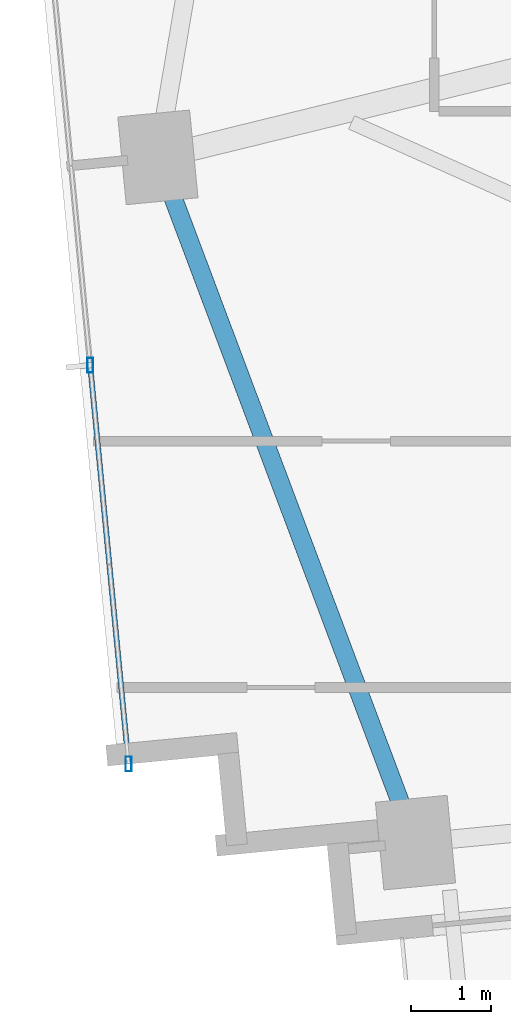
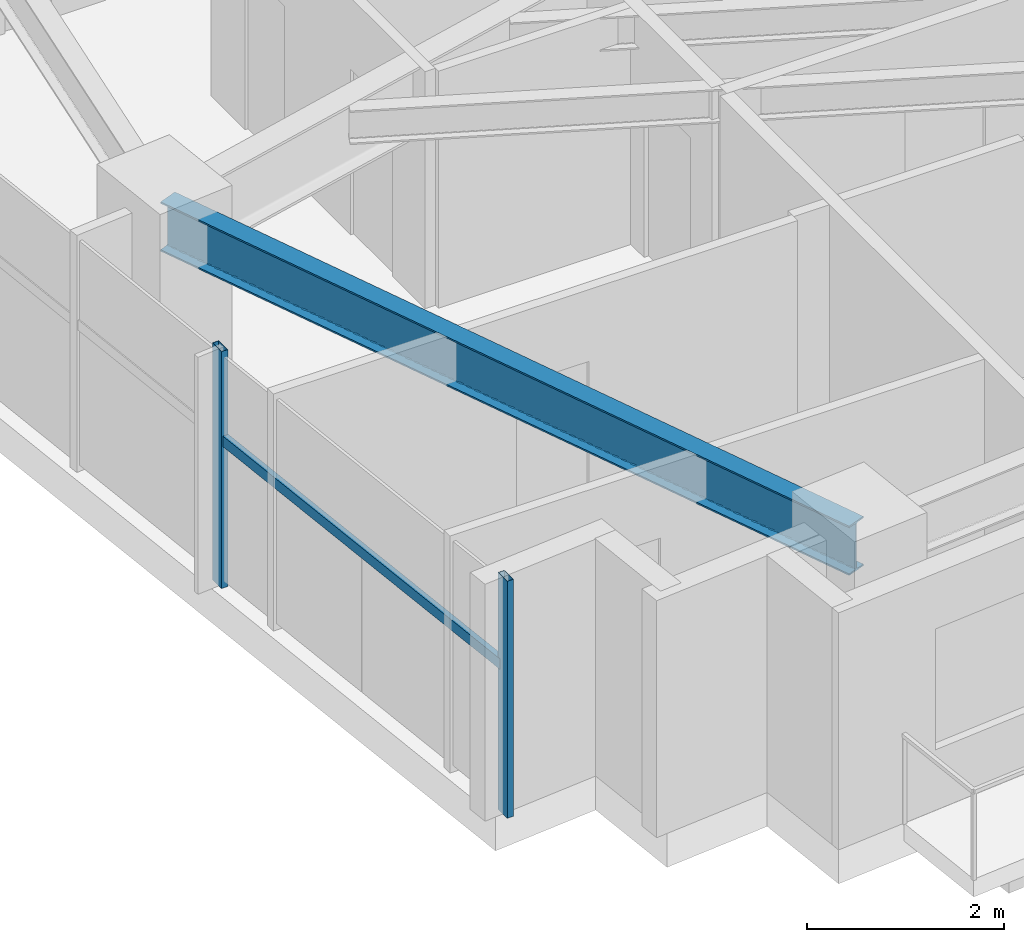
# One storey, part 2 of 25: 3 members, 1 beam, 1 element without a shape of its own.
"""IFC4 building model written with IfcOpenShell, lengths in metres."""

from ifc_helpers import new_model, si_unit, direction, frame, origin, origin_2d, place, context, subcontext, project, spatial, hollow_rectangle, i_section, extrude, source, transform, mapped, material, material_profile, profile_set, type_object, type_shapes, element, aggregate, save


model = new_model("IFC4")

# Units and contexts
model_context = context("Model", 3, precision=1e-05, world=origin(), true_north=direction((0.0, 1.0)))
body_context = subcontext(model_context, "Body", "Model", "MODEL_VIEW")
ifc_project = project(units=[si_unit("LENGTHUNIT", "METRE"), si_unit("AREAUNIT", "SQUARE_METRE"), si_unit("VOLUMEUNIT", "CUBIC_METRE"), si_unit("PLANEANGLEUNIT", "RADIAN"), si_unit("MASSUNIT", "GRAM", prefix="KILO")], contexts=[model_context])

# Site, building, storey
site_placement = place(None, origin())
site = spatial("IfcSite", under=ifc_project, at=site_placement, CompositionType="ELEMENT")
building_placement = place(site_placement, origin())
building = spatial("IfcBuilding", under=site, at=building_placement, Name="Astriad Promenade Condominiums", CompositionType="ELEMENT")
storey_placement = place(building_placement, frame((0.0, 0.0, 77.800048828125)))
storey = spatial("IfcBuildingStorey", under=building, at=storey_placement, Name="L21", CompositionType="ELEMENT", Elevation=77.800048828125)

# Beam
ifc_material_1 = material(Name="Steel ASTM A992 Grade 50", Category="steel")
ifc_material_profile_1 = material_profile(ifc_material_1, i_section(OverallWidth=0.22900390625, OverallDepth=0.612060546875, WebThickness=0.011962890625, FlangeThickness=0.01953125, FilletRadius=0.017822265625, at=origin_2d()), Name="W24X84")
ifc_profile_set_1 = profile_set([ifc_material_profile_1], Name="Steel ASTM A992 Grade 50")
beam_type = type_object("IfcBeamType", Name="STEEL SPANDREL BEAM W24X84", PredefinedType="SPANDREL", material=ifc_profile_set_1)
shared_shape_1 = source(origin(), body_context, "Body", "SweptSolid", [
    extrude(i_section(OverallWidth=0.22900390625, OverallDepth=0.612060546875, WebThickness=0.011962890625, FlangeThickness=0.01953125, FilletRadius=0.017822265625, at=origin_2d()), origin(), (0.0, 0.0, 1.0), 9.055419921875),
])
type_shapes(beam_type, [shared_shape_1])
beam_placement = place(storey_placement, frame((10.765625, 13.523193359375, 2.6337890625), z_axis=(0.351864937141, -0.936050781748, 0.0), x_axis=(0.936050781748, 0.351864937141, 0.0)))
element("IfcBeam", 1, at=beam_placement, inside=storey, type_object=beam_type, Name="Perimeter Spandrel Beam SP-W1-L21", PredefinedType="SPANDREL", context=body_context, shape_type="MappedRepresentation", body=[
    mapped(shared_shape_1, transform((0.0, 0.0, 0.0), scale=1.0)),
])

# Curtain wall, members
ifc_material_2 = material(Name="Anodised aluminium Black Dark Glass Unitised", Category="aluminium")
curtain_wall_type = type_object("IfcCurtainWallType", Name="CW-B2-DARK", PredefinedType="USERDEFINED", material=ifc_material_2)
curtain_wall_placement = place(storey_placement, origin())
curtain_wall = element("IfcCurtainWall", 2, at=curtain_wall_placement, inside=storey, type_object=curtain_wall_type, Name="CW-L21-W", ObjectType="UNITISED_CURTAIN_WALL", PredefinedType="USERDEFINED")
ifc_material_3 = material(Name="Anodised aluminium 6063-T6 Black", Category="aluminium")
ifc_material_profile_2 = material_profile(ifc_material_3, hollow_rectangle(XDim=0.074951171875, YDim=0.18505859375, WallThickness=0.00439453125, at=origin_2d()), Name="ALU-MUL-75X185")
ifc_profile_set_2 = profile_set([ifc_material_profile_2], Name="Anodised aluminium 6063-T6 Black")
member_type_1 = type_object("IfcMemberType", Name="MUL-ALU-MUL-75X185", PredefinedType="MULLION", material=ifc_profile_set_2)
shared_shape_2 = source(origin(), body_context, "Body", "SweptSolid", [
    extrude(hollow_rectangle(XDim=0.074951171875, YDim=0.18505859375, WallThickness=0.00439453125, at=origin_2d()), origin(), (0.0, 0.0, 1.0), 2.93994140625),
])
type_shapes(member_type_1, [shared_shape_2])
member_1_placement = place(storey_placement, frame((10.385498046875, 5.99072265625, 0.0), z_axis=(0.0, 0.0, 1.0), x_axis=(1.0, 0.0, 0.0)))
member_1 = element("IfcMember", 3, at=member_1_placement, type_object=member_type_1, Name="CW-L21-W-MUL-00", PredefinedType="MULLION", context=body_context, shape_type="MappedRepresentation", body=[
    mapped(shared_shape_2, transform((0.0, 0.0, 0.0), scale=1.0)),
])
member_2_placement = place(storey_placement, frame((9.90625, 10.9677734375, 0.0), z_axis=(0.0, 0.0, 1.0), x_axis=(1.0, 0.0, 0.0)))
member_2 = element("IfcMember", 4, at=member_2_placement, type_object=member_type_1, Name="CW-L21-W-MUL-01", PredefinedType="MULLION", context=body_context, shape_type="MappedRepresentation", body=[
    mapped(shared_shape_2, transform((0.0, 0.0, 0.0), scale=1.0)),
])
ifc_material_profile_3 = material_profile(ifc_material_3, hollow_rectangle(XDim=0.06494140625, YDim=0.1298828125, WallThickness=0.00390625, at=origin_2d()), Name="ALU-TRN-65X130")
ifc_profile_set_3 = profile_set([ifc_material_profile_3], Name="Anodised aluminium 6063-T6 Black")
member_type_2 = type_object("IfcMemberType", Name="TRN-ALU-TRN-65X130", PredefinedType="USERDEFINED", material=ifc_profile_set_3)
shared_shape_3 = source(origin(), body_context, "Body", "SweptSolid", [
    extrude(hollow_rectangle(XDim=0.06494140625, YDim=0.1298828125, WallThickness=0.00390625, at=origin_2d()), origin(), (0.0, 0.0, 1.0), 5.0),
])
type_shapes(member_type_2, [shared_shape_3])
member_3_placement = place(storey_placement, frame((10.385498046875, 5.99072265625, 1.82275390625), z_axis=(-0.095848242264, 0.995395958629, 0.0), x_axis=(-0.995395958629, -0.095848242264, 0.0)))
member_3 = element("IfcMember", 5, at=member_3_placement, type_object=member_type_2, Name="CW-L21-W-TRN-00-0", ObjectType="TRANSOM", PredefinedType="USERDEFINED", context=body_context, shape_type="MappedRepresentation", body=[
    mapped(shared_shape_3, transform((0.0, 0.0, 0.0), scale=1.0)),
])
aggregate(curtain_wall, [member_1, member_2, member_3])

save(model, "model.ifc")
